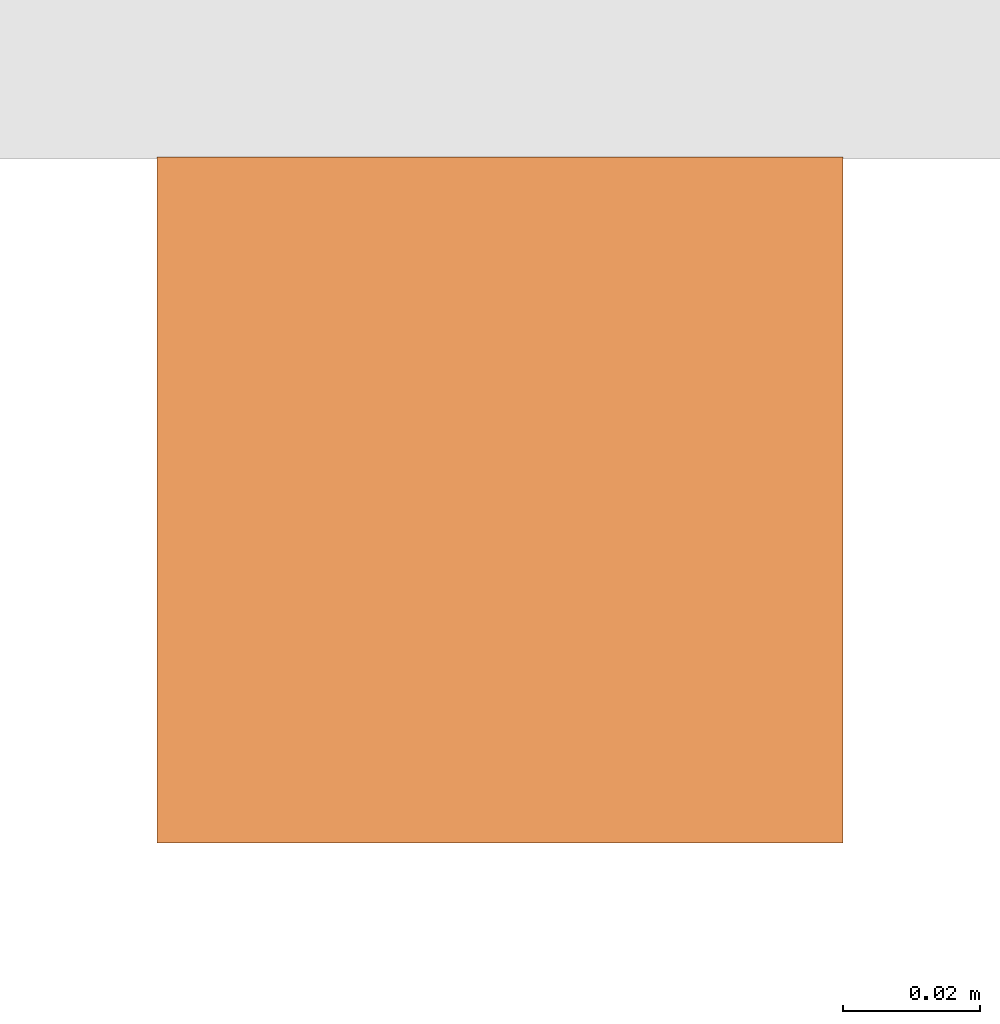
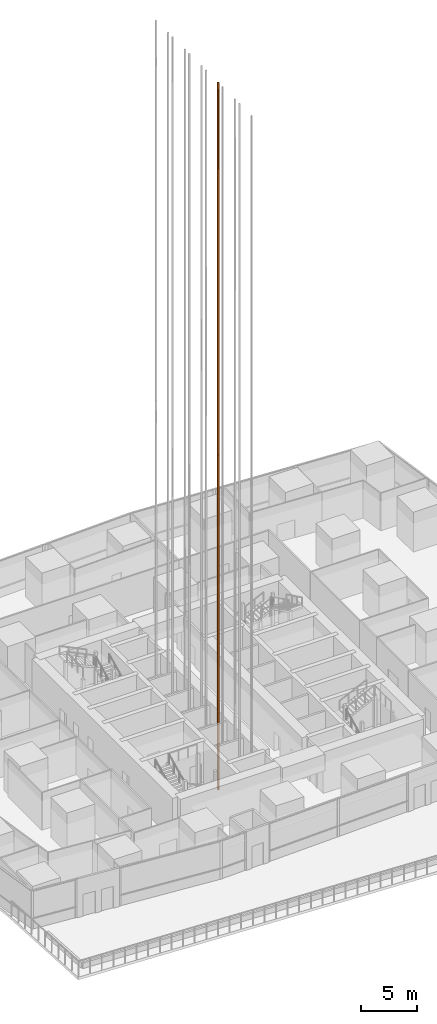
# One storey, part 37 of 44: 1 proxy.
"""IFC4 building model written with IfcOpenShell, lengths in metres."""

from ifc_helpers import new_model, si_unit, direction, frame, origin, origin_2d, place, context, subcontext, project, spatial, rectangle, extrude, material, type_object, element, save


model = new_model("IFC4")

# Units and contexts
model_context = context("Model", 3, precision=1e-05, world=origin(), true_north=direction((0.0, 1.0)))
body_context = subcontext(model_context, "Body", "Model", "MODEL_VIEW")
ifc_project = project(units=[si_unit("LENGTHUNIT", "METRE"), si_unit("AREAUNIT", "SQUARE_METRE"), si_unit("VOLUMEUNIT", "CUBIC_METRE"), si_unit("PLANEANGLEUNIT", "RADIAN"), si_unit("MASSUNIT", "GRAM", prefix="KILO")], contexts=[model_context])

# Site, building, storey
site_placement = place(None, origin())
site = spatial("IfcSite", under=ifc_project, at=site_placement, CompositionType="ELEMENT")
building_placement = place(site_placement, origin())
building = spatial("IfcBuilding", under=site, at=building_placement, Name="Rekha Terrace Tower", CompositionType="ELEMENT")
storey_placement = place(building_placement, frame((0.0, 0.0, 90.800048828125)))
storey = spatial("IfcBuildingStorey", under=building, at=storey_placement, Name="L22", CompositionType="ELEMENT", Elevation=90.800048828125)

# Proxy
ifc_material = material(Name="Steel guide rail", Category="steel")
building_element_proxy_type = type_object("IfcBuildingElementProxyType", Name="LR1 100 lift guide rail", PredefinedType="ELEMENT", material=ifc_material)
proxy_placement = place(storey_placement, frame((34.5, 29.800048828125, -3.300048828125), z_axis=(0.0, 0.0, 1.0), x_axis=(1.0, 0.0, 0.0)))
element("IfcBuildingElementProxy", 1, at=proxy_placement, inside=storey, type_object=building_element_proxy_type, Name="Lift B3 guide rail 1", PredefinedType="ELEMENT", context=body_context, shape_type="SweptSolid", body=[
    extrude(rectangle(XDim=0.10009765625, YDim=0.10009765625, at=origin_2d()), origin(), (0.0, 0.0, 1.0), 77.39990234375),
])

save(model, "model.ifc")
